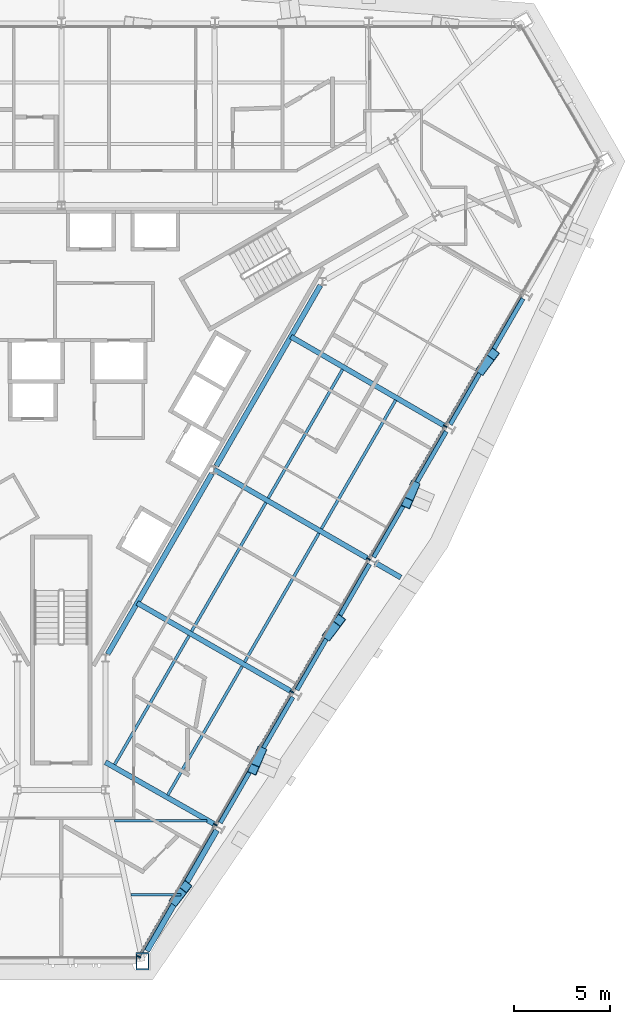
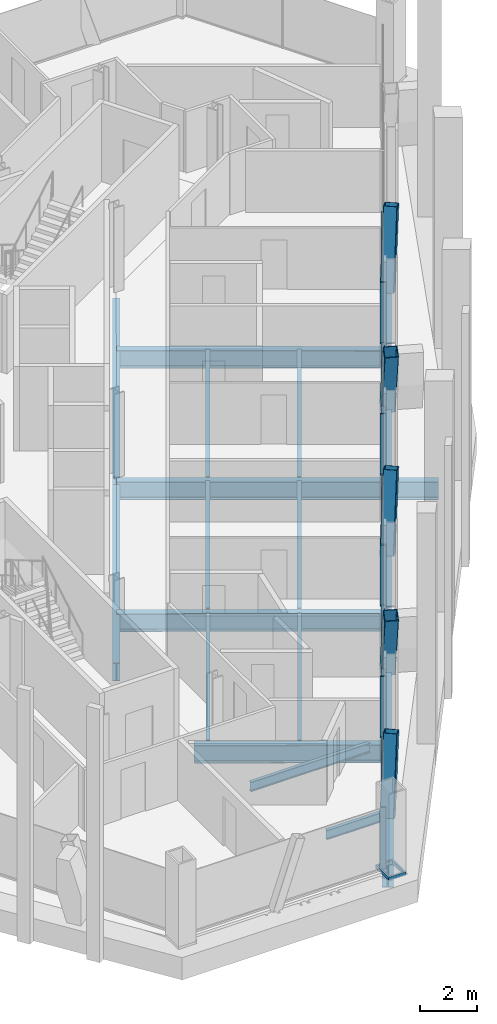
# One storey, part 5 of 16: 20 beams, 16 members, 1 element without a shape of its own.
"""IFC4 building model written with IfcOpenShell, lengths in metres."""

from ifc_helpers import new_model, si_unit, direction, frame, origin, origin_2d, place, context, subcontext, project, spatial, rectangle, hollow_rectangle, i_section, extrude, material, material_profile, profile_set, type_object, element, aggregate, save


model = new_model("IFC4")

# Units and contexts
model_context = context("Model", 3, precision=1e-05, world=origin(), true_north=direction((0.0, 1.0)))
body_context = subcontext(model_context, "Body", "Model", "MODEL_VIEW")
ifc_project = project(units=[si_unit("LENGTHUNIT", "METRE"), si_unit("AREAUNIT", "SQUARE_METRE"), si_unit("VOLUMEUNIT", "CUBIC_METRE"), si_unit("PLANEANGLEUNIT", "RADIAN"), si_unit("MASSUNIT", "GRAM", prefix="KILO")], contexts=[model_context])

# Site, building, storey
site_placement = place(None, origin())
site = spatial("IfcSite", under=ifc_project, at=site_placement, CompositionType="ELEMENT")
building_placement = place(site_placement, origin())
building = spatial("IfcBuilding", under=site, at=building_placement, Name="Verrane Prism Tower", CompositionType="ELEMENT")
storey_placement = place(building_placement, frame((0.0, 0.0, 103.60009765625)))
storey = spatial("IfcBuildingStorey", under=building, at=storey_placement, Name="L24", CompositionType="ELEMENT", Elevation=103.60009765625)

# Beams
ifc_material_1 = material(Name="Steel A992", Category="steel")
ifc_material_profile_1 = material_profile(ifc_material_1, i_section(OverallWidth=0.2666015625, OverallDepth=0.7568359375, WebThickness=0.013916015625, FlangeThickness=0.019287109375, FilletRadius=0.0166015625, at=origin_2d()), Name="W30x108")
ifc_profile_set_1 = profile_set([ifc_material_profile_1], Name="Steel A992")
beam_type_1 = type_object("IfcBeamType", Name="Core ring girder W30x108", PredefinedType="BEAM", material=ifc_profile_set_1)
beam_1_placement = place(storey_placement, frame((2.4150390625, -14.220703125, -0.628662109375), z_axis=(0.500034555306, 0.86600545235, 0.0), x_axis=(-0.86600545235, 0.500034555306, 0.0)))
element("IfcBeam", 1, at=beam_1_placement, inside=storey, type_object=beam_type_1, Name="Core ring girder L24", PredefinedType="BEAM", context=body_context, shape_type="SweptSolid", body=[
    extrude(i_section(OverallWidth=0.2666015625, OverallDepth=0.7568359375, WebThickness=0.013916015625, FlangeThickness=0.019287109375, FilletRadius=0.0166015625, at=origin_2d()), origin(), (0.0, 0.0, 1.0), 10.879150390625),
])
beam_2_placement = place(storey_placement, frame((8.0849609375, -4.400634765625, -0.628662109375), z_axis=(0.4993706109, 0.866388476937, 0.0), x_axis=(-0.866388476937, 0.4993706109, 0.0)))
element("IfcBeam", 2, at=beam_2_placement, inside=storey, type_object=beam_type_1, Name="Core ring girder L24", PredefinedType="BEAM", context=body_context, shape_type="SweptSolid", body=[
    extrude(i_section(OverallWidth=0.2666015625, OverallDepth=0.7568359375, WebThickness=0.013916015625, FlangeThickness=0.019287109375, FilletRadius=0.0166015625, at=origin_2d()), origin(), (0.0, 0.0, 1.0), 10.8740234375),
])

# Members
ifc_material_2 = material(Name="Steel A1085 Grade A", Category="steel")
ifc_material_profile_2 = material_profile(ifc_material_2, hollow_rectangle(XDim=0.508056640625, YDim=0.508056640625, WallThickness=0.025390625, InnerFilletRadius=0.0126953125, OuterFilletRadius=0.0380859375, at=origin_2d()), Name="HSS20x20x1")
ifc_profile_set_2 = profile_set([ifc_material_profile_2], Name="Steel A1085 Grade A")
member_type_1 = type_object("IfcMemberType", Name="Facade brace HSS20x20x1", PredefinedType="BRACE", material=ifc_profile_set_2)
member_1_placement = place(storey_placement, frame((5.94189453125, -27.052490234375, -0.27001953125), z_axis=(0.172654478717, 0.224034229756, 0.959165832834), x_axis=(-0.792076134613, 0.610422310353, 0.0)))
element("IfcMember", 3, at=member_1_placement, inside=storey, type_object=member_type_1, Name="Facade brace SE0 L24", PredefinedType="BRACE", context=body_context, shape_type="SweptSolid", body=[
    extrude(hollow_rectangle(XDim=0.508056640625, YDim=0.508056640625, WallThickness=0.025390625, InnerFilletRadius=0.0126953125, OuterFilletRadius=0.0380859375, at=origin_2d()), origin(), (0.0, 0.0, 1.0), 3.16455078125),
])
member_2_placement = place(storey_placement, frame((10.406494140625, -19.31591796875, -0.24267578125), z_axis=(-0.122949452926, -0.287832763151, 0.949755617242), x_axis=(0.919615704202, -0.392819241618, 0.0)))
element("IfcMember", 4, at=member_2_placement, inside=storey, type_object=member_type_1, Name="Facade brace SE1 L24", PredefinedType="BRACE", context=body_context, shape_type="SweptSolid", body=[
    extrude(hollow_rectangle(XDim=0.508056640625, YDim=0.508056640625, WallThickness=0.025390625, InnerFilletRadius=0.0126953125, OuterFilletRadius=0.0380859375, at=origin_2d()), origin(), (0.0, 0.0, 1.0), 3.167236328125),
])
member_3_placement = place(storey_placement, frame((13.92919921875, -13.210693359375, -0.24267578125), z_axis=(0.182415441141, 0.241286582239, 0.953155492071), x_axis=(-0.79769233979, 0.603064615975, 0.0)))
element("IfcMember", 5, at=member_3_placement, inside=storey, type_object=member_type_1, Name="Facade brace SE2 L24", PredefinedType="BRACE", context=body_context, shape_type="SweptSolid", body=[
    extrude(hollow_rectangle(XDim=0.508056640625, YDim=0.508056640625, WallThickness=0.025390625, InnerFilletRadius=0.0126953125, OuterFilletRadius=0.0380859375, at=origin_2d()), origin(), (0.0, 0.0, 1.0), 3.156005859375),
])
member_4_placement = place(storey_placement, frame((18.406494140625, -5.456298828125, -0.24267578125), z_axis=(-0.117670162802, -0.27850926107, 0.953197946013), x_axis=(0.921157844706, -0.389189189388, 0.0)))
element("IfcMember", 6, at=member_4_placement, inside=storey, type_object=member_type_1, Name="Facade brace SE3 L24", PredefinedType="BRACE", context=body_context, shape_type="SweptSolid", body=[
    extrude(hollow_rectangle(XDim=0.508056640625, YDim=0.508056640625, WallThickness=0.025390625, InnerFilletRadius=0.0126953125, OuterFilletRadius=0.0380859375, at=origin_2d()), origin(), (0.0, 0.0, 1.0), 3.15576171875),
])
member_5_placement = place(storey_placement, frame((21.931884765625, 0.644287109375, -0.24267578125), z_axis=(0.188370317735, 0.250415369199, 0.949636123084), x_axis=(-0.799143224573, 0.60114067124, 0.0)))
element("IfcMember", 7, at=member_5_placement, inside=storey, type_object=member_type_1, Name="Facade brace SE4 L24", PredefinedType="BRACE", context=body_context, shape_type="SweptSolid", body=[
    extrude(hollow_rectangle(XDim=0.508056640625, YDim=0.508056640625, WallThickness=0.025390625, InnerFilletRadius=0.0126953125, OuterFilletRadius=0.0380859375, at=origin_2d()), origin(), (0.0, 0.0, 1.0), 3.16748046875),
])

# Beams
ifc_material_3 = material(Name="Steel A992", Category="steel")
ifc_material_profile_3 = material_profile(ifc_material_3, i_section(OverallWidth=0.140380859375, OverallDepth=0.40380859375, WebThickness=0.007080078125, FlangeThickness=0.01123046875, FilletRadius=0.01025390625, at=origin_2d()), Name="W16x31")
ifc_profile_set_3 = profile_set([ifc_material_profile_3], Name="Steel A992")
beam_type_2 = type_object("IfcBeamType", Name="Floor beam W16x31", PredefinedType="BEAM", material=ifc_profile_set_3)
beam_3_placement = place(storey_placement, frame((3.625, -26.776611328125, -0.362060546875), z_axis=(1.0, 0.0, 0.0), x_axis=(0.0, 1.0, 0.0)))
element("IfcBeam", 8, at=beam_3_placement, inside=storey, type_object=beam_type_2, Name="Floor beam L24", PredefinedType="BEAM", context=body_context, shape_type="SweptSolid", body=[
    extrude(i_section(OverallWidth=0.140380859375, OverallDepth=0.40380859375, WebThickness=0.007080078125, FlangeThickness=0.01123046875, FilletRadius=0.01025390625, at=origin_2d()), origin(), (0.0, 0.0, 1.0), 2.61328125),
])
beam_4_placement = place(storey_placement, frame((2.78662109375, -22.913330078125, -0.362060546875), z_axis=(1.0, 0.0, 0.0), x_axis=(0.0, 1.0, 0.0)))
element("IfcBeam", 9, at=beam_4_placement, inside=storey, type_object=beam_type_2, Name="Floor beam L24", PredefinedType="BEAM", context=body_context, shape_type="SweptSolid", body=[
    extrude(i_section(OverallWidth=0.140380859375, OverallDepth=0.40380859375, WebThickness=0.007080078125, FlangeThickness=0.01123046875, FilletRadius=0.01025390625, at=origin_2d()), origin(), (0.0, 0.0, 1.0), 4.811767578125),
])
ifc_material_4 = material(Name="Steel A992", Category="steel")
ifc_material_profile_4 = material_profile(ifc_material_4, i_section(OverallWidth=0.15234375, OverallDepth=0.449462890625, WebThickness=0.007568359375, FlangeThickness=0.0107421875, FilletRadius=0.01025390625, at=origin_2d()), Name="W18x35")
ifc_profile_set_4 = profile_set([ifc_material_profile_4], Name="Steel A992")
beam_type_3 = type_object("IfcBeamType", Name="Floor beam W18x35", PredefinedType="BEAM", material=ifc_profile_set_4)
beam_5_placement = place(storey_placement, frame((5.5498046875, -21.57470703125, -0.385009765625), z_axis=(0.500009527944, 0.866019902754, 0.0), x_axis=(-0.866019902754, 0.500009527944, 0.0)))
element("IfcBeam", 10, at=beam_5_placement, inside=storey, type_object=beam_type_3, Name="Floor beam L24", PredefinedType="BEAM", context=body_context, shape_type="SweptSolid", body=[
    extrude(i_section(OverallWidth=0.15234375, OverallDepth=0.449462890625, WebThickness=0.007568359375, FlangeThickness=0.0107421875, FilletRadius=0.01025390625, at=origin_2d()), origin(), (0.0, 0.0, 1.0), 7.754150390625),
])
beam_6_placement = place(storey_placement, frame((2.783203125, -19.97509765625, -0.385009765625), z_axis=(0.500000526688, 0.866025099701, 0.0), x_axis=(-0.866025099701, 0.500000526688, 0.0)))
element("IfcBeam", 11, at=beam_6_placement, inside=storey, type_object=beam_type_3, Name="Floor beam L24", PredefinedType="BEAM", context=body_context, shape_type="SweptSolid", body=[
    extrude(i_section(OverallWidth=0.15234375, OverallDepth=0.449462890625, WebThickness=0.007568359375, FlangeThickness=0.0107421875, FilletRadius=0.01025390625, at=origin_2d()), origin(), (0.0, 0.0, 1.0), 7.751953125),
])
for number, where, z_axis, x_axis, name in (
    (12, (9.559326171875, -14.627197265625, -0.385009765625), (0.500028499731, 0.866008948832, 0.0), (-0.866008948832, 0.500028499731, 0.0), "Floor beam L24"),
    (13, (6.7919921875, -13.0302734375, -0.385009765625), (0.500028499731, 0.866008948832, 0.0), (-0.866008948832, 0.500028499731, 0.0), "Floor beam L24"),
):
    element("IfcBeam", number, at=place(storey_placement, frame(where, z_axis=z_axis, x_axis=x_axis)), inside=storey, type_object=beam_type_3, Name=name, PredefinedType="BEAM", context=body_context, shape_type="SweptSolid", body=[
        extrude(i_section(OverallWidth=0.15234375, OverallDepth=0.449462890625, WebThickness=0.007568359375, FlangeThickness=0.0107421875, FilletRadius=0.01025390625, at=origin_2d()), origin(), (0.0, 0.0, 1.0), 7.7568359375),
    ])
beam_7_placement = place(storey_placement, frame((13.568603515625, -7.6767578125, -0.385009765625), z_axis=(0.499981532947, 0.86603606548, 0.0), x_axis=(-0.86603606548, 0.499981532947, 0.0)))
element("IfcBeam", 14, at=beam_7_placement, inside=storey, type_object=beam_type_3, Name="Floor beam L24", PredefinedType="BEAM", context=body_context, shape_type="SweptSolid", body=[
    extrude(i_section(OverallWidth=0.15234375, OverallDepth=0.449462890625, WebThickness=0.007568359375, FlangeThickness=0.0107421875, FilletRadius=0.01025390625, at=origin_2d()), origin(), (0.0, 0.0, 1.0), 7.749267578125),
])
beam_8_placement = place(storey_placement, frame((10.7978515625, -6.077880859375, -0.385009765625), z_axis=(0.499984211786, 0.866034518922, 0.0), x_axis=(-0.866034518922, 0.499984211786, 0.0)))
element("IfcBeam", 15, at=beam_8_placement, inside=storey, type_object=beam_type_3, Name="Floor beam L24", PredefinedType="BEAM", context=body_context, shape_type="SweptSolid", body=[
    extrude(i_section(OverallWidth=0.15234375, OverallDepth=0.449462890625, WebThickness=0.007568359375, FlangeThickness=0.0107421875, FilletRadius=0.01025390625, at=origin_2d()), origin(), (0.0, 0.0, 1.0), 7.750732421875),
])

# Member
ifc_material_5 = material(Name="Steel A572 Grade 50", Category="steel")
ifc_material_profile_5 = material_profile(ifc_material_5, hollow_rectangle(XDim=0.699951171875, YDim=0.89990234375, WallThickness=0.06494140625, at=origin_2d()), Name="BOX 900x700x65")
ifc_profile_set_5 = profile_set([ifc_material_profile_5], Name="Steel A572 Grade 50")
member_type_2 = type_object("IfcMemberType", Name="Kink node BOX 900x700x65", PredefinedType="COLLAR", material=ifc_profile_set_5)
member_6_placement = place(storey_placement, frame((4.235595703125, -30.232666015625, -0.0751953125), z_axis=(0.0, 0.0, 1.0), x_axis=(-1.0, 0.0, 0.0)))
element("IfcMember", 16, at=member_6_placement, inside=storey, type_object=member_type_2, Name="Kink node MC3 L24", PredefinedType="COLLAR", context=body_context, shape_type="SweptSolid", body=[
    extrude(hollow_rectangle(XDim=0.699951171875, YDim=0.89990234375, WallThickness=0.06494140625, at=origin_2d()), origin(), (0.0, 0.0, 1.0), 0.150146484375),
])

# Curtain wall, members
ifc_material_6 = material(Name="Aluminium framed insulated glazing", Category="aluminium")
curtain_wall_type = type_object("IfcCurtainWallType", Name="Curtain wall CW-A 8400 module", PredefinedType="NOTDEFINED", material=ifc_material_6)
curtain_wall_placement = place(storey_placement, origin())
curtain_wall = element("IfcCurtainWall", 17, at=curtain_wall_placement, inside=storey, type_object=curtain_wall_type, Name="Glazed curtain wall south-east face L24", PredefinedType="NOTDEFINED")
ifc_material_7 = material(Name="Aluminium alloy 6063-T6", Category="aluminium")
ifc_material_profile_6 = material_profile(ifc_material_7, rectangle(XDim=0.199951171875, YDim=0.070068359375, at=origin_2d()), Name="Mullion 70x200 aluminium")
ifc_profile_set_6 = profile_set([ifc_material_profile_6], Name="Aluminium alloy 6063-T6")
member_type_3 = type_object("IfcMemberType", Name="Mullion 70x200 aluminium", PredefinedType="MULLION", material=ifc_profile_set_6)
member_7_placement = place(storey_placement, frame((4.051513671875, -30.004638671875, 0.0), z_axis=(0.0, 0.0, 1.0), x_axis=(-0.866025402318, 0.500000002539, 0.0)))
member_7 = element("IfcMember", 18, at=member_7_placement, type_object=member_type_3, Name="CW24.6 mullion 1", PredefinedType="MULLION", context=body_context, shape_type="SweptSolid", body=[
    extrude(rectangle(XDim=0.199951171875, YDim=0.070068359375, at=origin_2d()), origin(), (0.0, 0.0, 1.0), 2.61279296875),
])
member_8_placement = place(storey_placement, frame((8.032958984375, -23.1083984375, 0.0), z_axis=(0.0, 0.0, 1.0), x_axis=(-0.866025402318, 0.500000002539, 0.0)))
member_8 = element("IfcMember", 19, at=member_8_placement, type_object=member_type_3, Name="CW24.6 mullion 2", PredefinedType="MULLION", context=body_context, shape_type="SweptSolid", body=[
    extrude(rectangle(XDim=0.199951171875, YDim=0.070068359375, at=origin_2d()), origin(), (0.0, 0.0, 1.0), 2.61279296875),
])
member_9_placement = place(storey_placement, frame((12.031982421875, -16.181884765625, 0.0), z_axis=(0.0, 0.0, 1.0), x_axis=(-0.866025402318, 0.500000002539, 0.0)))
member_9 = element("IfcMember", 20, at=member_9_placement, type_object=member_type_3, Name="CW24.6 mullion 3", PredefinedType="MULLION", context=body_context, shape_type="SweptSolid", body=[
    extrude(rectangle(XDim=0.199951171875, YDim=0.070068359375, at=origin_2d()), origin(), (0.0, 0.0, 1.0), 2.61279296875),
])
member_10_placement = place(storey_placement, frame((16.031005859375, -9.255615234375, 0.0), z_axis=(0.0, 0.0, 1.0), x_axis=(-0.866025402318, 0.500000002539, 0.0)))
member_10 = element("IfcMember", 21, at=member_10_placement, type_object=member_type_3, Name="CW24.6 mullion 4", PredefinedType="MULLION", context=body_context, shape_type="SweptSolid", body=[
    extrude(rectangle(XDim=0.199951171875, YDim=0.070068359375, at=origin_2d()), origin(), (0.0, 0.0, 1.0), 2.61279296875),
])
member_11_placement = place(storey_placement, frame((20.030029296875, -2.3291015625, 0.0), z_axis=(0.0, 0.0, 1.0), x_axis=(-0.866025402318, 0.500000002539, 0.0)))
member_11 = element("IfcMember", 22, at=member_11_placement, type_object=member_type_3, Name="CW24.6 mullion 5", PredefinedType="MULLION", context=body_context, shape_type="SweptSolid", body=[
    extrude(rectangle(XDim=0.199951171875, YDim=0.070068359375, at=origin_2d()), origin(), (0.0, 0.0, 1.0), 2.61279296875),
])

# Beams
ifc_material_8 = material(Name="Steel A992", Category="steel")
ifc_material_profile_7 = material_profile(ifc_material_8, i_section(OverallWidth=0.2666015625, OverallDepth=0.76708984375, WebThickness=0.014892578125, FlangeThickness=0.023681640625, FilletRadius=0.0166015625, at=origin_2d()), Name="W30x124")
ifc_profile_set_7 = profile_set([ifc_material_profile_7], Name="Steel A992")
beam_type_4 = type_object("IfcBeamType", Name="Radial girder W30x124", PredefinedType="BEAM", material=ifc_profile_set_7)
beam_9_placement = place(storey_placement, frame((7.9638671875, -23.07421875, -0.603515625), z_axis=(-0.869363990661, 0.494172289532, 0.0), x_axis=(-0.494172289532, -0.869363990661, 0.0)))
element("IfcBeam", 23, at=beam_9_placement, inside=storey, type_object=beam_type_4, Name="Radial girder L24", PredefinedType="BEAM", context=body_context, shape_type="SweptSolid", body=[
    extrude(i_section(OverallWidth=0.2666015625, OverallDepth=0.76708984375, WebThickness=0.014892578125, FlangeThickness=0.023681640625, FilletRadius=0.0166015625, at=origin_2d()), origin(), (0.0, 0.0, 1.0), 6.514892578125),
])
beam_10_placement = place(storey_placement, frame((11.962646484375, -16.143798828125, -0.603515625), z_axis=(-0.86716679256, 0.498017824863, 0.0), x_axis=(-0.498017824863, -0.86716679256, 0.0)))
element("IfcBeam", 24, at=beam_10_placement, inside=storey, type_object=beam_type_4, Name="Radial girder L24", PredefinedType="BEAM", context=body_context, shape_type="SweptSolid", body=[
    extrude(i_section(OverallWidth=0.2666015625, OverallDepth=0.76708984375, WebThickness=0.014892578125, FlangeThickness=0.023681640625, FilletRadius=0.0166015625, at=origin_2d()), origin(), (0.0, 0.0, 1.0), 9.22998046875),
])
beam_11_placement = place(storey_placement, frame((15.962646484375, -9.2119140625, -0.603515625), z_axis=(-0.866048128844, 0.499960636976, 0.0), x_axis=(-0.499960636976, -0.866048128844, 0.0)))
element("IfcBeam", 25, at=beam_11_placement, inside=storey, type_object=beam_type_4, Name="Radial girder L24", PredefinedType="BEAM", context=body_context, shape_type="SweptSolid", body=[
    extrude(i_section(OverallWidth=0.2666015625, OverallDepth=0.76708984375, WebThickness=0.014892578125, FlangeThickness=0.023681640625, FilletRadius=0.0166015625, at=origin_2d()), origin(), (0.0, 0.0, 1.0), 9.227783203125),
])
beam_12_placement = place(storey_placement, frame((19.961181640625, -2.2900390625, -0.603515625), z_axis=(-0.864898533313, 0.501946737287, 0.0), x_axis=(-0.501946737287, -0.864898533313, 0.0)))
element("IfcBeam", 26, at=beam_12_placement, inside=storey, type_object=beam_type_4, Name="Radial girder L24", PredefinedType="BEAM", context=body_context, shape_type="SweptSolid", body=[
    extrude(i_section(OverallWidth=0.2666015625, OverallDepth=0.76708984375, WebThickness=0.014892578125, FlangeThickness=0.023681640625, FilletRadius=0.0166015625, at=origin_2d()), origin(), (0.0, 0.0, 1.0), 9.235595703125),
])
beam_13_placement = place(storey_placement, frame((16.370361328125, -9.447998046875, -0.603515625), z_axis=(0.866053858757, -0.499950711303, 0.0), x_axis=(0.499950711303, 0.866053858757, 0.0)))
element("IfcBeam", 27, at=beam_13_placement, inside=storey, type_object=beam_type_4, Name="Cantilever girder L24", PredefinedType="BEAM", context=body_context, shape_type="SweptSolid", body=[
    extrude(i_section(OverallWidth=0.2666015625, OverallDepth=0.76708984375, WebThickness=0.014892578125, FlangeThickness=0.023681640625, FilletRadius=0.0166015625, at=origin_2d()), origin(), (0.0, 0.0, 1.0), 1.543212890625),
])
ifc_material_9 = material(Name="Steel A992", Category="steel")
ifc_material_profile_8 = material_profile(ifc_material_9, i_section(OverallWidth=0.2666015625, OverallDepth=0.7568359375, WebThickness=0.013916015625, FlangeThickness=0.019287109375, FilletRadius=0.0166015625, at=origin_2d()), Name="W30x108")
ifc_profile_set_8 = profile_set([ifc_material_profile_8], Name="Steel A992")
beam_type_5 = type_object("IfcBeamType", Name="Spandrel beam W30x108", PredefinedType="SPANDREL", material=ifc_profile_set_8)
beam_14_placement = place(storey_placement, frame((8.2763671875, -23.008056640625, -0.53857421875), z_axis=(0.499743841233, 0.866173246614, 0.0), x_axis=(-0.866173246614, 0.499743841233, 0.0)))
element("IfcBeam", 28, at=beam_14_placement, inside=storey, type_object=beam_type_5, Name="Spandrel beam L24", PredefinedType="SPANDREL", context=body_context, shape_type="SweptSolid", body=[
    extrude(i_section(OverallWidth=0.2666015625, OverallDepth=0.7568359375, WebThickness=0.013916015625, FlangeThickness=0.019287109375, FilletRadius=0.0166015625, at=origin_2d()), origin(), (0.0, 0.0, 1.0), 7.576171875),
])
beam_15_placement = place(storey_placement, frame((12.2744140625, -16.078369140625, -0.53857421875), z_axis=(0.499815412818, 0.866131949018, 0.0), x_axis=(-0.866131949018, 0.499815412818, 0.0)))
element("IfcBeam", 29, at=beam_15_placement, inside=storey, type_object=beam_type_5, Name="Spandrel beam L24", PredefinedType="SPANDREL", context=body_context, shape_type="SweptSolid", body=[
    extrude(i_section(OverallWidth=0.2666015625, OverallDepth=0.7568359375, WebThickness=0.013916015625, FlangeThickness=0.019287109375, FilletRadius=0.0166015625, at=origin_2d()), origin(), (0.0, 0.0, 1.0), 7.578369140625),
])
beam_16_placement = place(storey_placement, frame((16.2744140625, -9.14697265625, -0.53857421875), z_axis=(0.500194298326, 0.865913196528, 0.0), x_axis=(-0.865913196528, 0.500194298326, 0.0)))
element("IfcBeam", 30, at=beam_16_placement, inside=storey, type_object=beam_type_5, Name="Spandrel beam L24", PredefinedType="SPANDREL", context=body_context, shape_type="SweptSolid", body=[
    extrude(i_section(OverallWidth=0.2666015625, OverallDepth=0.7568359375, WebThickness=0.013916015625, FlangeThickness=0.019287109375, FilletRadius=0.0166015625, at=origin_2d()), origin(), (0.0, 0.0, 1.0), 7.56884765625),
])
beam_17_placement = place(storey_placement, frame((20.272705078125, -2.2255859375, -0.53857421875), z_axis=(0.500516905118, 0.865726762721, 0.0), x_axis=(-0.865726762721, 0.500516905118, 0.0)))
element("IfcBeam", 31, at=beam_17_placement, inside=storey, type_object=beam_type_5, Name="Spandrel beam L24", PredefinedType="SPANDREL", context=body_context, shape_type="SweptSolid", body=[
    extrude(i_section(OverallWidth=0.2666015625, OverallDepth=0.7568359375, WebThickness=0.013916015625, FlangeThickness=0.019287109375, FilletRadius=0.0166015625, at=origin_2d()), origin(), (0.0, 0.0, 1.0), 7.580078125),
])
ifc_material_10 = material(Name="Steel A992", Category="steel")
ifc_material_profile_9 = material_profile(ifc_material_10, i_section(OverallWidth=0.4013671875, OverallDepth=1.000732421875, WebThickness=0.01904296875, FlangeThickness=0.0361328125, FilletRadius=0.030029296875, at=origin_2d()), Name="W40x249")
ifc_profile_set_9 = profile_set([ifc_material_profile_9], Name="Steel A992")
beam_type_6 = type_object("IfcBeamType", Name="Spandrel beam W40x249", PredefinedType="SPANDREL", material=ifc_profile_set_9)
beam_18_placement = place(storey_placement, frame((4.430419921875, -29.67138671875, -0.660400390625), z_axis=(0.499881387456, 0.866093873939, 0.0), x_axis=(-0.866093873939, 0.499881387456, 0.0)))
element("IfcBeam", 32, at=beam_18_placement, inside=storey, type_object=beam_type_6, Name="Spandrel beam L24", PredefinedType="SPANDREL", context=body_context, shape_type="SweptSolid", body=[
    extrude(i_section(OverallWidth=0.4013671875, OverallDepth=1.000732421875, WebThickness=0.01904296875, FlangeThickness=0.0361328125, FilletRadius=0.030029296875, at=origin_2d()), origin(), (0.0, 0.0, 1.0), 7.269287109375),
])

# Member
ifc_material_11 = material(Name="Aluminium alloy 6063-T6", Category="aluminium")
ifc_material_profile_10 = material_profile(ifc_material_11, rectangle(XDim=0.14990234375, YDim=0.070068359375, at=origin_2d()), Name="Transom 70x150 aluminium")
ifc_profile_set_10 = profile_set([ifc_material_profile_10], Name="Aluminium alloy 6063-T6")
member_type_4 = type_object("IfcMemberType", Name="Transom 70x150 aluminium", PredefinedType="USERDEFINED", material=ifc_profile_set_10)
member_12_placement = place(storey_placement, frame((4.06884765625, -29.974365234375, 0.034912109375), z_axis=(0.500008053694, 0.866020753932, 0.0), x_axis=(-0.866020753932, 0.500008053694, 0.0)))
member_12 = element("IfcMember", 33, at=member_12_placement, type_object=member_type_4, Name="CW24.6 transom 1", ObjectType="TRANSOM", PredefinedType="USERDEFINED", context=body_context, shape_type="SweptSolid", body=[
    extrude(rectangle(XDim=0.14990234375, YDim=0.070068359375, at=origin_2d()), origin(), (0.0, 0.0, 1.0), 7.892822265625),
])

member_13_placement = place(storey_placement, frame((8.050537109375, -23.078125, 0.034912109375), z_axis=(0.499994358189, 0.866028661061, 0.0), x_axis=(-0.866028661061, 0.499994358189, 0.0)))
member_13 = element("IfcMember", 34, at=member_13_placement, type_object=member_type_4, Name="CW24.6 transom 2", ObjectType="TRANSOM", PredefinedType="USERDEFINED", context=body_context, shape_type="SweptSolid", body=[
    extrude(rectangle(XDim=0.14990234375, YDim=0.070068359375, at=origin_2d()), origin(), (0.0, 0.0, 1.0), 7.927734375),
])

member_14_placement = place(storey_placement, frame((12.04931640625, -16.151611328125, 0.034912109375), z_axis=(0.50001745439, 0.866015326253, 0.0), x_axis=(-0.866015326253, 0.50001745439, 0.0)))
member_14 = element("IfcMember", 35, at=member_14_placement, type_object=member_type_4, Name="CW24.6 transom 3", ObjectType="TRANSOM", PredefinedType="USERDEFINED", context=body_context, shape_type="SweptSolid", body=[
    extrude(rectangle(XDim=0.14990234375, YDim=0.070068359375, at=origin_2d()), origin(), (0.0, 0.0, 1.0), 7.927978515625),
])

member_15_placement = place(storey_placement, frame((16.04833984375, -9.22509765625, 0.034912109375), z_axis=(0.50001745439, 0.866015326253, 0.0), x_axis=(-0.866015326253, 0.50001745439, 0.0)))
member_15 = element("IfcMember", 36, at=member_15_placement, type_object=member_type_4, Name="CW24.6 transom 4", ObjectType="TRANSOM", PredefinedType="USERDEFINED", context=body_context, shape_type="SweptSolid", body=[
    extrude(rectangle(XDim=0.14990234375, YDim=0.070068359375, at=origin_2d()), origin(), (0.0, 0.0, 1.0), 7.927978515625),
])

member_16_placement = place(storey_placement, frame((20.04736328125, -2.298583984375, 0.034912109375), z_axis=(0.50001745439, 0.866015326253, 0.0), x_axis=(-0.866015326253, 0.50001745439, 0.0)))
member_16 = element("IfcMember", 37, at=member_16_placement, type_object=member_type_4, Name="CW24.6 transom 5", ObjectType="TRANSOM", PredefinedType="USERDEFINED", context=body_context, shape_type="SweptSolid", body=[
    extrude(rectangle(XDim=0.14990234375, YDim=0.070068359375, at=origin_2d()), origin(), (0.0, 0.0, 1.0), 7.927978515625),
])

aggregate(curtain_wall, [member_7, member_8, member_9, member_10, member_11, member_12, member_13, member_14, member_15, member_16])

save(model, "model.ifc")
